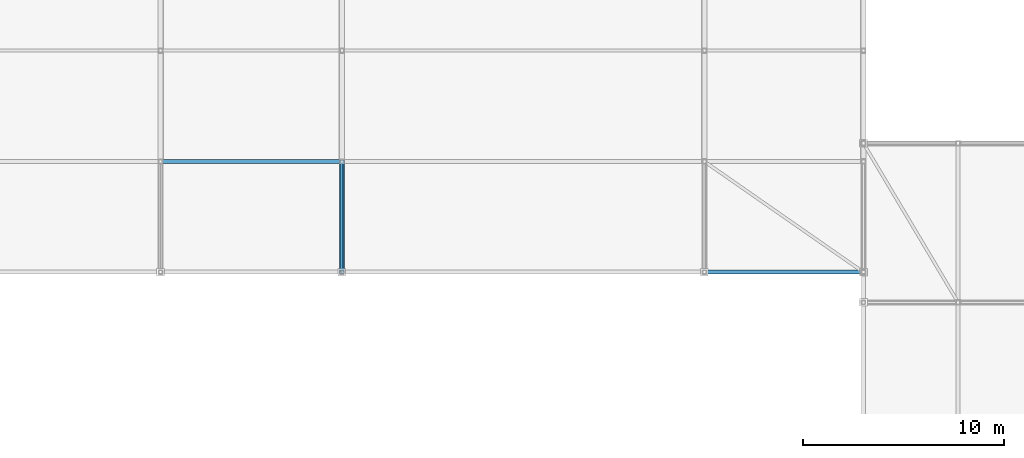
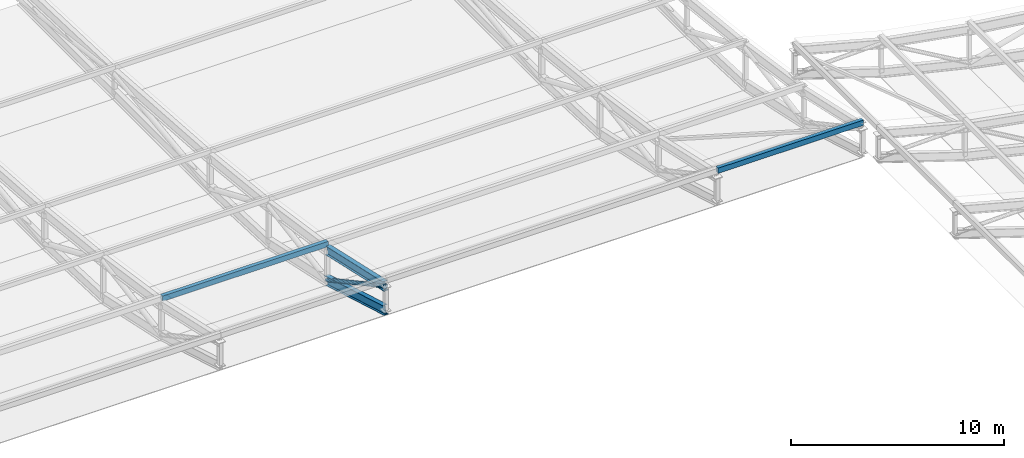
# One storey, part 59 of 114: 3 members, 2 beams.
"""IFC4 building model written with IfcOpenShell, lengths in metres."""

import ifcopenshell
import ifcopenshell.guid

model = None  # the IFC model being written
_history = None  # IfcOwnerHistory: only IFC2X3 demands one
_inside = {}  # id of a spatial element -> (the spatial element, [elements in it])
_under = {}  # id of a project, library or spatial element -> (it, [spatial elements below it])
_declared = {}  # id of a project -> (the project, [libraries it declares])
_typed = {}  # id of a type object -> (the type object, [elements of that type])
_made_of = {}  # id of a material, layer set ... -> (it, [elements and type objects made of it])


def new_model(schema):
    """Start an empty IFC model of exactly this schema.

    Asked for "IFC4X3", IfcOpenShell would pick the latest addendum, in which some entities
    have other attributes; the version numbers below select the first issue.
    IFC2X3 requires an IfcOwnerHistory on every rooted entity: one is made here for all.
    """
    global model, _history
    if schema == "IFC4X3":
        model = ifcopenshell.file(schema_version=(4, 3, 0, 0))
    else:
        model = ifcopenshell.file(schema=schema)
    _inside.clear()
    _under.clear()
    _declared.clear()
    _typed.clear()
    _made_of.clear()
    _history = None
    if model.schema == "IFC2X3":
        org = make("IfcOrganization", Name="unknown")
        user = make(
            "IfcPersonAndOrganization",
            ThePerson=make("IfcPerson", FamilyName="unknown"),
            TheOrganization=org,
        )
        app = make(
            "IfcApplication",
            ApplicationDeveloper=org,
            Version="unknown",
            ApplicationFullName="unknown",
            ApplicationIdentifier="unknown",
        )
        _history = make(
            "IfcOwnerHistory",
            OwningUser=user,
            OwningApplication=app,
            ChangeAction="ADDED",
            CreationDate=0,
        )
    return model


def make(cls, **values):
    """One entity of the class cls with the attributes given. An attribute that is None is left unset."""
    return model.create_entity(
        cls, **{name: value for name, value in values.items() if value is not None}
    )


def rooted(cls, **values):
    """An entity with a GlobalId (a new one), such as an element, a storey or a relation."""
    return make(cls, GlobalId=ifcopenshell.guid.new(), OwnerHistory=_history, **values)


def si_unit(unit_type, name, prefix=None):
    """IfcSIUnit, for example si_unit("LENGTHUNIT", "METRE", prefix="MILLI")."""
    return make("IfcSIUnit", UnitType=unit_type, Prefix=prefix, Name=name)


def assignment(units):
    """IfcUnitAssignment: the units of a project."""
    return None if units is None else make("IfcUnitAssignment", Units=units)


def point(xyz):
    """IfcCartesianPoint."""
    return None if xyz is None else make("IfcCartesianPoint", Coordinates=xyz)


def direction(xyz):
    """IfcDirection."""
    return None if xyz is None else make("IfcDirection", DirectionRatios=xyz)


def frame(location, z_axis=None, x_axis=None):
    """IfcAxis2Placement3D, a coordinate frame: its origin and axes. An axis left out is left unset."""
    return make(
        "IfcAxis2Placement3D",
        Location=point(location),
        Axis=direction(z_axis),
        RefDirection=direction(x_axis),
    )


def frame_2d(location, x_axis=None):
    """IfcAxis2Placement2D, a coordinate frame in the plane: its origin and x axis."""
    return make(
        "IfcAxis2Placement2D", Location=point(location), RefDirection=direction(x_axis)
    )


def origin():
    """The frame at (0, 0, 0) with its axes left unset."""
    return frame((0.0, 0.0, 0.0))


def origin_2d():
    """The frame at (0, 0) in the plane with its x axis left unset."""
    return frame_2d((0.0, 0.0))


def place(relative_to, where):
    """IfcLocalPlacement: puts the frame where relative to a parent placement (None: the world)."""
    return make(
        "IfcLocalPlacement", PlacementRelTo=relative_to, RelativePlacement=where
    )


def context(
    kind, dimensions, precision=None, world=None, true_north=None, identifier=None
):
    """IfcGeometricRepresentationContext, for example the 3D "Model" context."""
    return make(
        "IfcGeometricRepresentationContext",
        ContextIdentifier=identifier,
        ContextType=kind,
        CoordinateSpaceDimension=dimensions,
        Precision=precision,
        WorldCoordinateSystem=world,
        TrueNorth=true_north,
    )


def subcontext(parent, identifier, kind, view, scale=None):
    """IfcGeometricRepresentationSubContext, for example "Body" below "Model"."""
    return make(
        "IfcGeometricRepresentationSubContext",
        ContextIdentifier=identifier,
        ContextType=kind,
        ParentContext=parent,
        TargetScale=scale,
        TargetView=view,
    )


def project(units=None, contexts=None):
    """IfcProject with its units and contexts."""
    return rooted(
        "IfcProject",
        Name="project",
        RepresentationContexts=contexts,
        UnitsInContext=assignment(units),
    )


def spatial(cls, under=None, at=None, **own):
    """A site, building, storey or space (cls), placed at a placement, below another one or the project."""
    s = rooted(cls, ObjectPlacement=at, **own)
    if under is not None:
        _under.setdefault(under.id(), (under, []))[1].append(s)
    return s


def profile(cls, at=None, kind="AREA", **sizes):
    """A parametric profile (cls). Its sizes go by their IFC names, for example OverallWidth=200.0."""
    return make(cls, ProfileType=kind, Position=at, **sizes)


def hollow_rectangle(**sizes):
    """IfcRectangleHollowProfileDef."""
    return profile("IfcRectangleHollowProfileDef", **sizes)


def hollow_circle(**sizes):
    """IfcCircleHollowProfileDef."""
    return profile("IfcCircleHollowProfileDef", **sizes)


def i_section(**sizes):
    """IfcIShapeProfileDef."""
    return profile("IfcIShapeProfileDef", **sizes)


def extrude(swept, where, along, depth):
    """IfcExtrudedAreaSolid: the profile swept, set in the frame where, extruded along a direction by depth."""
    return make(
        "IfcExtrudedAreaSolid",
        SweptArea=swept,
        Position=where,
        ExtrudedDirection=direction(along),
        Depth=depth,
    )


def shape(context_of_items, identifier, shape_type, items):
    """IfcShapeRepresentation: the items that make up one representation, for example the "Body"."""
    return make(
        "IfcShapeRepresentation",
        ContextOfItems=context_of_items,
        RepresentationIdentifier=identifier,
        RepresentationType=shape_type,
        Items=items,
    )


def material(Name=None, Category=None):
    """IfcMaterial."""
    return make("IfcMaterial", Name=Name, Category=Category)


def material_profile(
    of_material, cross_section, Name=None, Category=None, Priority=None
):
    """IfcMaterialProfile: a cross section and its material."""
    return make(
        "IfcMaterialProfile",
        Name=Name,
        Material=of_material,
        Profile=cross_section,
        Priority=Priority,
        Category=Category,
    )


def profile_set(profiles, Name=None, composite=None):
    """IfcMaterialProfileSet."""
    return make(
        "IfcMaterialProfileSet",
        Name=Name,
        MaterialProfiles=profiles,
        CompositeProfile=composite,
    )


def made_of(thing, what):
    """Note that an element or type object is made of a material, layer set ...; save() writes the relation."""
    if what is not None:
        _made_of.setdefault(what.id(), (what, []))[1].append(thing)
    return thing


def type_object(cls, material=None, **own):
    """A type object (cls), such as IfcWallType, which elements share."""
    return made_of(rooted(cls, **own), material)


def element(
    cls,
    number,
    at=None,
    inside=None,
    cuts=None,
    type_object=None,
    material=None,
    context=None,
    identifier="Body",
    shape_type=None,
    held_by="IfcProductDefinitionShape",
    body=None,
    shapes=None,
    **own,
):
    """One element of the class cls, such as IfcWall. Its Tag is "e" and its number.

    at: its placement. inside: the storey or other place that contains it. cuts: it is an
    opening in that element (IfcRelVoidsElement). A single representation is given by context,
    identifier, shape_type and body (its items); several are given by shapes. held_by: the class
    of the entity that holds the representations. save() writes the other relations.
    """
    e = rooted(cls, Tag="e%d" % number, ObjectPlacement=at, **own)
    if body is not None:
        shapes = [shape(context, identifier, shape_type, body)]
    if shapes is not None:
        e.Representation = make(held_by, Representations=shapes)
    if inside is not None:
        _inside.setdefault(inside.id(), (inside, []))[1].append(e)
    if cuts is not None:
        rooted(
            "IfcRelVoidsElement", RelatingBuildingElement=cuts, RelatedOpeningElement=e
        )
    if type_object is not None:
        _typed.setdefault(type_object.id(), (type_object, []))[1].append(e)
    return made_of(e, material)


def aggregate(whole, parts):
    """IfcRelAggregates: a whole, such as a stair, and the parts it consists of."""
    return rooted("IfcRelAggregates", RelatingObject=whole, RelatedObjects=parts)


def save(model, path):
    """Write the relations noted so far, then the file.

    IfcRelAggregates (storeys below a building ...), IfcRelContainedInSpatialStructure (elements
    in a storey), IfcRelDefinesByType, IfcRelAssociatesMaterial and IfcRelDeclares: one each for
    every whole, place, type object, material and project.
    """
    for whole, parts in _under.values():
        aggregate(whole, parts)
    for where, things in _inside.values():
        rooted(
            "IfcRelContainedInSpatialStructure",
            RelatedElements=things,
            RelatingStructure=where,
        )
    for kind, things in _typed.values():
        rooted("IfcRelDefinesByType", RelatedObjects=things, RelatingType=kind)
    for what, things in _made_of.values():
        rooted("IfcRelAssociatesMaterial", RelatedObjects=things, RelatingMaterial=what)
    for by, libraries in _declared.values():
        rooted("IfcRelDeclares", RelatingContext=by, RelatedDefinitions=libraries)
    model.write(path)


model = new_model("IFC4")

# Units and contexts
model_context = context("Model", 3, precision=1e-05, world=origin(), true_north=direction((0.0, 1.0)))
body_context = subcontext(model_context, "Body", "Model", "MODEL_VIEW")
ifc_project = project(units=[si_unit("LENGTHUNIT", "METRE"), si_unit("AREAUNIT", "SQUARE_METRE"), si_unit("VOLUMEUNIT", "CUBIC_METRE"), si_unit("PLANEANGLEUNIT", "RADIAN"), si_unit("MASSUNIT", "GRAM", prefix="KILO"), si_unit("THERMODYNAMICTEMPERATUREUNIT", "KELVIN"), si_unit("POWERUNIT", "WATT")], contexts=[model_context])

# Site, building, storey
site_placement = place(None, origin())
site = spatial("IfcSite", under=ifc_project, at=site_placement, CompositionType="ELEMENT")
building_placement = place(site_placement, origin())
building = spatial("IfcBuilding", under=site, at=building_placement, Name="Sindhuravela Promenade Stadium", CompositionType="ELEMENT")
storey_placement = place(building_placement, frame((0.0, 0.0, 24.0)))
storey = spatial("IfcBuildingStorey", under=building, at=storey_placement, Name="L05", CompositionType="ELEMENT", Elevation=24.0)

# Beams
ifc_material = material(Name="Steel E350 (IS 2062 E350BR)", Category="steel")
ifc_material_profile_1 = material_profile(ifc_material, i_section(OverallWidth=0.25, OverallDepth=0.5, WebThickness=0.010009765625, FlangeThickness=0.0146484375, FilletRadius=0.014892578125, at=origin_2d()), Name="ISWB 500")
ifc_profile_set_1 = profile_set([ifc_material_profile_1], Name="Steel E350 (IS 2062 E350BR)")
beam_type = type_object("IfcBeamType", Name="ST-BM-WB500", PredefinedType="USERDEFINED", material=ifc_profile_set_1)
beam_1_placement = place(storey_placement, frame((135.0, 124.0, 3.169189453125), z_axis=(0.0, -0.9758669805330386, 0.2183658313595103), x_axis=(1.0, 0.0, 0.0)))
element("IfcBeam", 1, at=beam_1_placement, inside=storey, type_object=beam_type, Name="Roof truss RT-N07 top chord 5", ObjectType="ROOF TRUSS", PredefinedType="USERDEFINED", context=body_context, shape_type="SweptSolid", body=[
    extrude(i_section(OverallWidth=0.25, OverallDepth=0.5, WebThickness=0.010009765625, FlangeThickness=0.0146484375, FilletRadius=0.014892578125, at=origin_2d()), origin(), (0.0, 0.0, 1.0), 5.635986328125),
])
beam_2_placement = place(storey_placement, frame((135.0, 124.0, 1.419189453125), z_axis=(0.0, -0.9599274278129861, 0.28024869907342015), x_axis=(1.0, 0.0, 0.0)))
element("IfcBeam", 2, at=beam_2_placement, inside=storey, type_object=beam_type, Name="Roof truss RT-N07 bottom chord 5", ObjectType="ROOF TRUSS", PredefinedType="USERDEFINED", context=body_context, shape_type="SweptSolid", body=[
    extrude(i_section(OverallWidth=0.25, OverallDepth=0.5, WebThickness=0.010009765625, FlangeThickness=0.0146484375, FilletRadius=0.014892578125, at=origin_2d()), origin(), (0.0, 0.0, 1.0), 5.7294921875),
])

# Members
ifc_material_profile_2 = material_profile(ifc_material, hollow_circle(Radius=0.109619140625, WallThickness=0.010009765625, at=origin_2d()), Name="CHS 219.1x10")
ifc_profile_set_2 = profile_set([ifc_material_profile_2], Name="Steel E350 (IS 2062 E350BR)")
member_type_1 = type_object("IfcMemberType", Name="ST-MB-CHS219", PredefinedType="BRACE", material=ifc_profile_set_2)
member_1_placement = place(storey_placement, frame((135.0, 124.0, 1.419189453125), z_axis=(0.0, -0.8791884339384995, 0.47647423605979855), x_axis=(1.0, 0.0, 0.0)))
element("IfcMember", 3, at=member_1_placement, inside=storey, type_object=member_type_1, Name="Roof truss RT-N07 diagonal web 5", PredefinedType="BRACE", context=body_context, shape_type="SweptSolid", body=[
    extrude(hollow_circle(Radius=0.109619140625, WallThickness=0.010009765625, at=origin_2d()), origin(), (0.0, 0.0, 1.0), 6.255859375),
])
ifc_material_profile_3 = material_profile(ifc_material, hollow_rectangle(XDim=0.199951171875, YDim=0.300048828125, WallThickness=0.010009765625, at=origin_2d()), Name="RHS 300x200x10")
ifc_profile_set_3 = profile_set([ifc_material_profile_3], Name="Steel E350 (IS 2062 E350BR)")
member_type_2 = type_object("IfcMemberType", Name="ST-MB-RHS300", PredefinedType="PURLIN", material=ifc_profile_set_3)
member_2_placement = place(storey_placement, frame((126.0, 124.0, 3.5361328125), z_axis=(1.0, 0.0, 0.0), x_axis=(0.0, 1.0, 0.0)))
element("IfcMember", 4, at=member_2_placement, inside=storey, type_object=member_type_2, Name="Roof purlin PR02 N bay 6.5", PredefinedType="PURLIN", context=body_context, shape_type="SweptSolid", body=[
    extrude(hollow_rectangle(XDim=0.199951171875, YDim=0.300048828125, WallThickness=0.010009765625, at=origin_2d()), origin(), (0.0, 0.0, 1.0), 9.0),
])
member_3_placement = place(storey_placement, frame((153.0, 118.5, 4.76708984375), z_axis=(1.0, 0.0, 0.0), x_axis=(0.0, 1.0, 0.0)))
element("IfcMember", 5, at=member_3_placement, inside=storey, type_object=member_type_2, Name="Roof purlin PR02 N bay 8.6", PredefinedType="PURLIN", context=body_context, shape_type="SweptSolid", body=[
    extrude(hollow_rectangle(XDim=0.199951171875, YDim=0.300048828125, WallThickness=0.010009765625, at=origin_2d()), origin(), (0.0, 0.0, 1.0), 7.89990234375),
])

save(model, "model.ifc")
